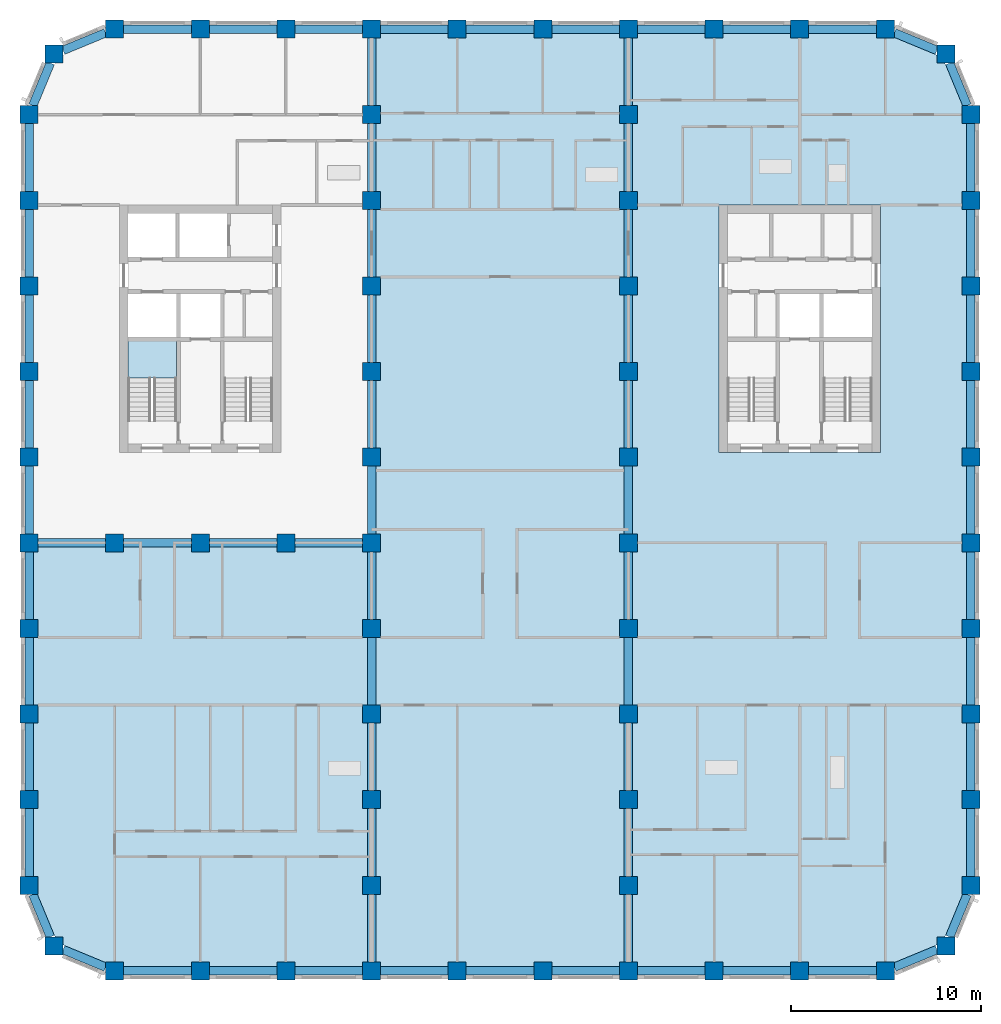
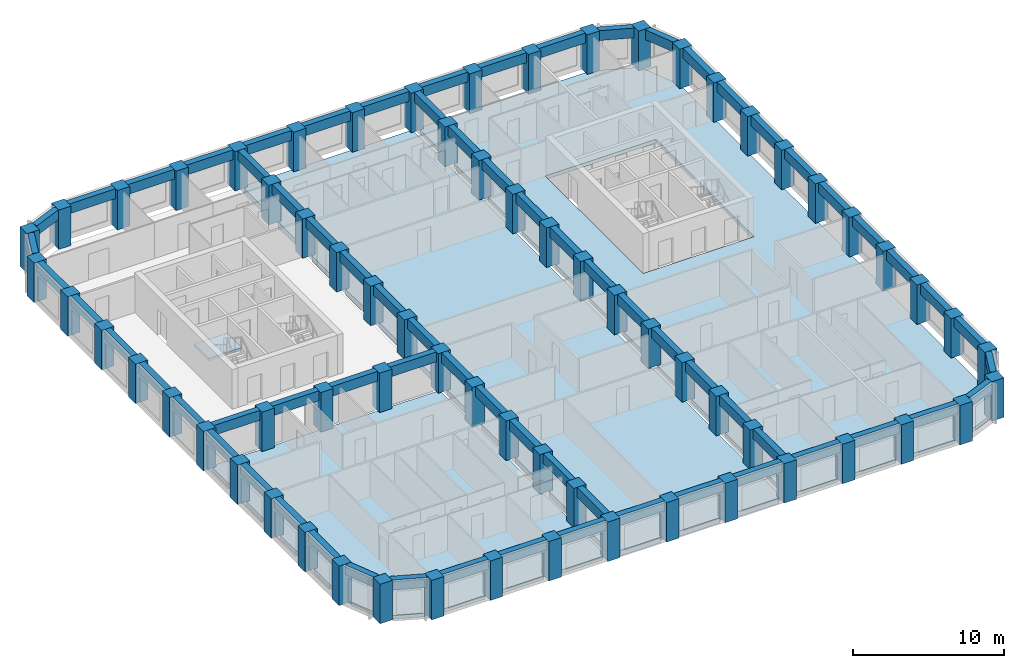
# One storey, part 1 of 13: 70 beams, 67 columns, 4 slabs, 1 element without a shape of its own.
"""IFC4 building model written with IfcOpenShell, lengths in metres."""

from ifc_helpers import new_model, si_unit, direction, frame, origin, origin_2d, place, context, subcontext, project, spatial, polyline, rectangle, outline, extrude, material, layer, layer_set, material_profile, profile_set, type_object, element, aggregate, save


model = new_model("IFC4")

# Units and contexts
model_context = context("Model", 3, precision=1e-05, world=origin(), true_north=direction((0.0, 1.0)))
body_context = subcontext(model_context, "Body", "Model", "MODEL_VIEW")
ifc_project = project(units=[si_unit("LENGTHUNIT", "METRE"), si_unit("AREAUNIT", "SQUARE_METRE"), si_unit("VOLUMEUNIT", "CUBIC_METRE"), si_unit("PLANEANGLEUNIT", "RADIAN"), si_unit("MASSUNIT", "GRAM", prefix="KILO")], contexts=[model_context])

# Site, building, storey
site_placement = place(None, origin())
site = spatial("IfcSite", under=ifc_project, at=site_placement, CompositionType="ELEMENT")
building_placement = place(site_placement, origin())
building = spatial("IfcBuilding", under=site, at=building_placement, Name="Girih Gate Residences", CompositionType="ELEMENT")
storey_placement = place(building_placement, frame((0.0, 0.0, 133.39990234375)))
storey = spatial("IfcBuildingStorey", under=building, at=storey_placement, Name="L37", CompositionType="ELEMENT", Elevation=133.39990234375)

# Columns
ifc_material_1 = material(Name="Concrete C70/85", Category="concrete")
ifc_material_profile_1 = material_profile(ifc_material_1, rectangle(XDim=0.949951171875, YDim=0.949951171875, at=origin_2d()))
ifc_profile_set_1 = profile_set([ifc_material_profile_1], Name="Concrete C70/85")
column_type = type_object("IfcColumnType", Name="Pier RC 950x950 Concrete C70/85", PredefinedType="COLUMN", material=ifc_profile_set_1)
for number, where, z_axis, x_axis, name in (
    (1, (4.5, 0.0, 0.0), (0.0, 0.0, 1.0), (1.0, 0.0, 0.0), "Pier P2A L37"),
    (2, (9.0, 0.0, 0.0), (0.0, 0.0, 1.0), (1.0, 0.0, 0.0), "Pier P3A L37"),
    (3, (13.5, 0.0, 0.0), (0.0, 0.0, 1.0), (1.0, 0.0, 0.0), "Pier P4A L37"),
    (4, (18.0, 0.0, 0.0), (0.0, 0.0, 1.0), (1.0, 0.0, 0.0), "Pier P5A L37"),
    (5, (22.5, 0.0, 0.0), (0.0, 0.0, 1.0), (1.0, 0.0, 0.0), "Pier P6A L37"),
    (6, (27.0, 0.0, 0.0), (0.0, 0.0, 1.0), (1.0, 0.0, 0.0), "Pier P7A L37"),
    (7, (31.5, 0.0, 0.0), (0.0, 0.0, 1.0), (1.0, 0.0, 0.0), "Pier P8A L37"),
    (8, (36.0, 0.0, 0.0), (0.0, 0.0, 1.0), (1.0, 0.0, 0.0), "Pier P9A L37"),
    (9, (40.5, 0.0, 0.0), (0.0, 0.0, 1.0), (1.0, 0.0, 0.0), "Pier P10A L37"),
    (10, (45.0, 0.0, 0.0), (0.0, 0.0, 1.0), (1.0, 0.0, 0.0), "Pier P11A L37"),
    (11, (1.318115234375, 1.318115234375, 0.0), (0.0, 0.0, 1.0), (1.0, 0.0, 0.0), "Pier P1ANE L37"),
    (12, (48.181884765625, 1.318115234375, 0.0), (0.0, 0.0, 1.0), (1.0, 0.0, 0.0), "Pier P12ANW L37"),
    (13, (0.0, 4.5, 0.0), (0.0, 0.0, 1.0), (1.0, 0.0, 0.0), "Pier P1B L37"),
    (14, (18.0, 4.5, 0.0), (0.0, 0.0, 1.0), (1.0, 0.0, 0.0), "Pier P5B L37"),
    (15, (31.5, 4.5, 0.0), (0.0, 0.0, 1.0), (1.0, 0.0, 0.0), "Pier P8B L37"),
    (16, (49.5, 4.5, 0.0), (0.0, 0.0, 1.0), (1.0, 0.0, 0.0), "Pier P12B L37"),
    (17, (0.0, 9.0, 0.0), (0.0, 0.0, 1.0), (1.0, 0.0, 0.0), "Pier P1C L37"),
    (18, (18.0, 9.0, 0.0), (0.0, 0.0, 1.0), (1.0, 0.0, 0.0), "Pier P5C L37"),
    (19, (31.5, 9.0, 0.0), (0.0, 0.0, 1.0), (1.0, 0.0, 0.0), "Pier P8C L37"),
    (20, (49.5, 9.0, 0.0), (0.0, 0.0, 1.0), (1.0, 0.0, 0.0), "Pier P12C L37"),
    (21, (0.0, 13.5, 0.0), (0.0, 0.0, 1.0), (1.0, 0.0, 0.0), "Pier P1D L37"),
    (22, (18.0, 13.5, 0.0), (0.0, 0.0, 1.0), (1.0, 0.0, 0.0), "Pier P5D L37"),
    (23, (31.5, 13.5, 0.0), (0.0, 0.0, 1.0), (1.0, 0.0, 0.0), "Pier P8D L37"),
    (24, (49.5, 13.5, 0.0), (0.0, 0.0, 1.0), (1.0, 0.0, 0.0), "Pier P12D L37"),
    (25, (0.0, 18.0, 0.0), (0.0, 0.0, 1.0), (1.0, 0.0, 0.0), "Pier P1E L37"),
    (26, (18.0, 18.0, 0.0), (0.0, 0.0, 1.0), (1.0, 0.0, 0.0), "Pier P5E L37"),
    (27, (31.5, 18.0, 0.0), (0.0, 0.0, 1.0), (1.0, 0.0, 0.0), "Pier P8E L37"),
    (28, (49.5, 18.0, 0.0), (0.0, 0.0, 1.0), (1.0, 0.0, 0.0), "Pier P12E L37"),
    (29, (0.0, 22.5, 0.0), (0.0, 0.0, 1.0), (1.0, 0.0, 0.0), "Pier P1F L37"),
    (30, (4.5, 22.5, 0.0), (0.0, 0.0, 1.0), (1.0, 0.0, 0.0), "Pier P2F L37"),
    (31, (9.0, 22.5, 0.0), (0.0, 0.0, 1.0), (1.0, 0.0, 0.0), "Pier P3F L37"),
    (32, (13.5, 22.5, 0.0), (0.0, 0.0, 1.0), (1.0, 0.0, 0.0), "Pier P4F L37"),
    (33, (18.0, 22.5, 0.0), (0.0, 0.0, 1.0), (1.0, 0.0, 0.0), "Pier P5F L37"),
    (34, (31.5, 22.5, 0.0), (0.0, 0.0, 1.0), (1.0, 0.0, 0.0), "Pier P8F L37"),
    (35, (49.5, 22.5, 0.0), (0.0, 0.0, 1.0), (1.0, 0.0, 0.0), "Pier P12F L37"),
    (36, (0.0, 27.0, 0.0), (0.0, 0.0, 1.0), (1.0, 0.0, 0.0), "Pier P1G L37"),
    (37, (18.0, 27.0, 0.0), (0.0, 0.0, 1.0), (1.0, 0.0, 0.0), "Pier P5G L37"),
    (38, (31.5, 27.0, 0.0), (0.0, 0.0, 1.0), (1.0, 0.0, 0.0), "Pier P8G L37"),
    (39, (49.5, 27.0, 0.0), (0.0, 0.0, 1.0), (1.0, 0.0, 0.0), "Pier P12G L37"),
    (40, (0.0, 31.5, 0.0), (0.0, 0.0, 1.0), (1.0, 0.0, 0.0), "Pier P1H L37"),
    (41, (18.0, 31.5, 0.0), (0.0, 0.0, 1.0), (1.0, 0.0, 0.0), "Pier P5H L37"),
    (42, (31.5, 31.5, 0.0), (0.0, 0.0, 1.0), (1.0, 0.0, 0.0), "Pier P8H L37"),
    (43, (49.5, 31.5, 0.0), (0.0, 0.0, 1.0), (1.0, 0.0, 0.0), "Pier P12H L37"),
    (44, (0.0, 36.0, 0.0), (0.0, 0.0, 1.0), (1.0, 0.0, 0.0), "Pier P1I L37"),
    (45, (18.0, 36.0, 0.0), (0.0, 0.0, 1.0), (1.0, 0.0, 0.0), "Pier P5I L37"),
    (46, (31.5, 36.0, 0.0), (0.0, 0.0, 1.0), (1.0, 0.0, 0.0), "Pier P8I L37"),
    (47, (49.5, 36.0, 0.0), (0.0, 0.0, 1.0), (1.0, 0.0, 0.0), "Pier P12I L37"),
    (48, (0.0, 40.5, 0.0), (0.0, 0.0, 1.0), (1.0, 0.0, 0.0), "Pier P1J L37"),
    (49, (18.0, 40.5, 0.0), (0.0, 0.0, 1.0), (1.0, 0.0, 0.0), "Pier P5J L37"),
    (50, (31.5, 40.5, 0.0), (0.0, 0.0, 1.0), (1.0, 0.0, 0.0), "Pier P8J L37"),
    (51, (49.5, 40.5, 0.0), (0.0, 0.0, 1.0), (1.0, 0.0, 0.0), "Pier P12J L37"),
    (52, (0.0, 45.0, 0.0), (0.0, 0.0, 1.0), (1.0, 0.0, 0.0), "Pier P1K L37"),
    (53, (18.0, 45.0, 0.0), (0.0, 0.0, 1.0), (1.0, 0.0, 0.0), "Pier P5K L37"),
    (54, (31.5, 45.0, 0.0), (0.0, 0.0, 1.0), (1.0, 0.0, 0.0), "Pier P8K L37"),
    (55, (49.5, 45.0, 0.0), (0.0, 0.0, 1.0), (1.0, 0.0, 0.0), "Pier P12K L37"),
    (56, (1.318115234375, 48.181884765625, 0.0), (0.0, 0.0, 1.0), (1.0, 0.0, 0.0), "Pier P1LSE L37"),
    (57, (48.181884765625, 48.181884765625, 0.0), (0.0, 0.0, 1.0), (1.0, 0.0, 0.0), "Pier P12LSW L37"),
    (58, (4.5, 49.5, 0.0), (0.0, 0.0, 1.0), (1.0, 0.0, 0.0), "Pier P2L L37"),
    (59, (9.0, 49.5, 0.0), (0.0, 0.0, 1.0), (1.0, 0.0, 0.0), "Pier P3L L37"),
    (60, (13.5, 49.5, 0.0), (0.0, 0.0, 1.0), (1.0, 0.0, 0.0), "Pier P4L L37"),
    (61, (18.0, 49.5, 0.0), (0.0, 0.0, 1.0), (1.0, 0.0, 0.0), "Pier P5L L37"),
    (62, (22.5, 49.5, 0.0), (0.0, 0.0, 1.0), (1.0, 0.0, 0.0), "Pier P6L L37"),
    (63, (27.0, 49.5, 0.0), (0.0, 0.0, 1.0), (1.0, 0.0, 0.0), "Pier P7L L37"),
    (64, (31.5, 49.5, 0.0), (0.0, 0.0, 1.0), (1.0, 0.0, 0.0), "Pier P8L L37"),
    (65, (36.0, 49.5, 0.0), (0.0, 0.0, 1.0), (1.0, 0.0, 0.0), "Pier P9L L37"),
    (66, (40.5, 49.5, 0.0), (0.0, 0.0, 1.0), (1.0, 0.0, 0.0), "Pier P10L L37"),
    (67, (45.0, 49.5, 0.0), (0.0, 0.0, 1.0), (1.0, 0.0, 0.0), "Pier P11L L37"),
):
    element("IfcColumn", number, at=place(storey_placement, frame(where, z_axis=z_axis, x_axis=x_axis)), inside=storey, type_object=column_type, Name=name, PredefinedType="COLUMN", context=body_context, shape_type="SweptSolid", body=[
        extrude(rectangle(XDim=0.949951171875, YDim=0.949951171875, at=origin_2d()), origin(), (0.0, 0.0, 1.0), 3.2001953125),
    ])

# Beams
ifc_material_2 = material(Name="Concrete C60/75", Category="concrete")
ifc_material_profile_2 = material_profile(ifc_material_2, rectangle(XDim=0.449951171875, YDim=0.800048828125, at=origin_2d()))
ifc_profile_set_2 = profile_set([ifc_material_profile_2], Name="Concrete C60/75")
beam_type = type_object("IfcBeamType", Name="Spandrel girder RC 450x800 Concrete C60/75", PredefinedType="BEAM", material=ifc_profile_set_2)
for number, where, z_axis, x_axis, name in (
    (68, (0.19677734375, 4.02490234375, 2.800048828125), (0.382705825988, -0.923870256451, 0.0), (0.923870256451, 0.382705825988, 0.0), "Spandrel girder SP-P1B-P1ANE L37"),
    (69, (1.79296875, 1.121337890625, 2.800048828125), (0.923870256451, -0.382705825988, 0.0), (0.382705825988, 0.923870256451, 0.0), "Spandrel girder SP-P1ANE-P2A L37"),
):
    element("IfcBeam", number, at=place(storey_placement, frame(where, z_axis=z_axis, x_axis=x_axis)), inside=storey, type_object=beam_type, Name=name, PredefinedType="BEAM", context=body_context, shape_type="SweptSolid", body=[
        extrude(rectangle(XDim=0.449951171875, YDim=0.800048828125, at=origin_2d()), origin(), (0.0, 0.0, 1.0), 2.415771484375),
    ])
for number, where, z_axis, x_axis, name in (
    (70, (4.97509765625, 0.0, 2.800048828125), (1.0, 0.0, 0.0), (0.0, 1.0, 0.0), "Spandrel girder SP-P2A-P3A L37"),
    (71, (9.47509765625, 0.0, 2.800048828125), (1.0, 0.0, 0.0), (0.0, 1.0, 0.0), "Spandrel girder SP-P3A-P4A L37"),
    (72, (13.97509765625, 0.0, 2.800048828125), (1.0, 0.0, 0.0), (0.0, 1.0, 0.0), "Spandrel girder SP-P4A-P5A L37"),
    (73, (18.47509765625, 0.0, 2.800048828125), (1.0, 0.0, 0.0), (0.0, 1.0, 0.0), "Spandrel girder SP-P5A-P6A L37"),
    (74, (22.97509765625, 0.0, 2.800048828125), (1.0, 0.0, 0.0), (0.0, 1.0, 0.0), "Spandrel girder SP-P6A-P7A L37"),
    (75, (27.47509765625, 0.0, 2.800048828125), (1.0, 0.0, 0.0), (0.0, 1.0, 0.0), "Spandrel girder SP-P7A-P8A L37"),
    (76, (31.97509765625, 0.0, 2.800048828125), (1.0, 0.0, 0.0), (0.0, 1.0, 0.0), "Spandrel girder SP-P8A-P9A L37"),
    (77, (36.47509765625, 0.0, 2.800048828125), (1.0, 0.0, 0.0), (0.0, 1.0, 0.0), "Spandrel girder SP-P9A-P10A L37"),
    (78, (40.97509765625, 0.0, 2.800048828125), (1.0, 0.0, 0.0), (0.0, 1.0, 0.0), "Spandrel girder SP-P10A-P11A L37"),
):
    element("IfcBeam", number, at=place(storey_placement, frame(where, z_axis=z_axis, x_axis=x_axis)), inside=storey, type_object=beam_type, Name=name, PredefinedType="BEAM", context=body_context, shape_type="SweptSolid", body=[
        extrude(rectangle(XDim=0.449951171875, YDim=0.800048828125, at=origin_2d()), origin(), (0.0, 0.0, 1.0), 3.5498046875),
    ])
for number, where, z_axis, x_axis, name in (
    (79, (45.47509765625, 0.19677734375, 2.800048828125), (0.923870256451, 0.382705825988, 0.0), (-0.382705825988, 0.923870256451, 0.0), "Spandrel girder SP-P11A-P12ANW L37"),
    (80, (48.378662109375, 1.79296875, 2.800048828125), (0.382705825988, 0.923870256451, 0.0), (-0.923870256451, 0.382705825988, 0.0), "Spandrel girder SP-P12ANW-P12B L37"),
):
    element("IfcBeam", number, at=place(storey_placement, frame(where, z_axis=z_axis, x_axis=x_axis)), inside=storey, type_object=beam_type, Name=name, PredefinedType="BEAM", context=body_context, shape_type="SweptSolid", body=[
        extrude(rectangle(XDim=0.449951171875, YDim=0.800048828125, at=origin_2d()), origin(), (0.0, 0.0, 1.0), 2.415771484375),
    ])
for number, where, z_axis, x_axis, name in (
    (81, (49.5, 4.97509765625, 2.800048828125), (0.0, 1.0, 0.0), (-1.0, 0.0, 0.0), "Spandrel girder SP-P12B-P12C L37"),
    (82, (49.5, 9.47509765625, 2.800048828125), (0.0, 1.0, 0.0), (-1.0, 0.0, 0.0), "Spandrel girder SP-P12C-P12D L37"),
    (83, (49.5, 13.97509765625, 2.800048828125), (0.0, 1.0, 0.0), (-1.0, 0.0, 0.0), "Spandrel girder SP-P12D-P12E L37"),
    (84, (49.5, 18.47509765625, 2.800048828125), (0.0, 1.0, 0.0), (-1.0, 0.0, 0.0), "Spandrel girder SP-P12E-P12F L37"),
    (85, (49.5, 22.97509765625, 2.800048828125), (0.0, 1.0, 0.0), (-1.0, 0.0, 0.0), "Spandrel girder SP-P12F-P12G L37"),
    (86, (49.5, 27.47509765625, 2.800048828125), (0.0, 1.0, 0.0), (-1.0, 0.0, 0.0), "Spandrel girder SP-P12G-P12H L37"),
    (87, (49.5, 31.97509765625, 2.800048828125), (0.0, 1.0, 0.0), (-1.0, 0.0, 0.0), "Spandrel girder SP-P12H-P12I L37"),
    (88, (49.5, 36.47509765625, 2.800048828125), (0.0, 1.0, 0.0), (-1.0, 0.0, 0.0), "Spandrel girder SP-P12I-P12J L37"),
    (89, (49.5, 40.97509765625, 2.800048828125), (0.0, 1.0, 0.0), (-1.0, 0.0, 0.0), "Spandrel girder SP-P12J-P12K L37"),
):
    element("IfcBeam", number, at=place(storey_placement, frame(where, z_axis=z_axis, x_axis=x_axis)), inside=storey, type_object=beam_type, Name=name, PredefinedType="BEAM", context=body_context, shape_type="SweptSolid", body=[
        extrude(rectangle(XDim=0.449951171875, YDim=0.800048828125, at=origin_2d()), origin(), (0.0, 0.0, 1.0), 3.5498046875),
    ])
for number, where, z_axis, x_axis, name in (
    (90, (49.30322265625, 45.47509765625, 2.800048828125), (-0.382705825988, 0.923870256451, 0.0), (-0.923870256451, -0.382705825988, 0.0), "Spandrel girder SP-P12K-P12LSW L37"),
    (91, (47.70703125, 48.378662109375, 2.800048828125), (-0.923870256451, 0.382705825988, 0.0), (-0.382705825988, -0.923870256451, 0.0), "Spandrel girder SP-P12LSW-P11L L37"),
):
    element("IfcBeam", number, at=place(storey_placement, frame(where, z_axis=z_axis, x_axis=x_axis)), inside=storey, type_object=beam_type, Name=name, PredefinedType="BEAM", context=body_context, shape_type="SweptSolid", body=[
        extrude(rectangle(XDim=0.449951171875, YDim=0.800048828125, at=origin_2d()), origin(), (0.0, 0.0, 1.0), 2.415771484375),
    ])
for number, where, z_axis, x_axis, name in (
    (92, (44.52490234375, 49.5, 2.800048828125), (-1.0, 0.0, 0.0), (0.0, -1.0, 0.0), "Spandrel girder SP-P11L-P10L L37"),
    (93, (40.02490234375, 49.5, 2.800048828125), (-1.0, 0.0, 0.0), (0.0, -1.0, 0.0), "Spandrel girder SP-P10L-P9L L37"),
    (94, (35.52490234375, 49.5, 2.800048828125), (-1.0, 0.0, 0.0), (0.0, -1.0, 0.0), "Spandrel girder SP-P9L-P8L L37"),
    (95, (31.02490234375, 49.5, 2.800048828125), (-1.0, 0.0, 0.0), (0.0, -1.0, 0.0), "Spandrel girder SP-P8L-P7L L37"),
    (96, (26.52490234375, 49.5, 2.800048828125), (-1.0, 0.0, 0.0), (0.0, -1.0, 0.0), "Spandrel girder SP-P7L-P6L L37"),
    (97, (22.02490234375, 49.5, 2.800048828125), (-1.0, 0.0, 0.0), (0.0, -1.0, 0.0), "Spandrel girder SP-P6L-P5L L37"),
    (98, (17.52490234375, 49.5, 2.800048828125), (-1.0, 0.0, 0.0), (0.0, -1.0, 0.0), "Spandrel girder SP-P5L-P4L L37"),
    (99, (13.02490234375, 49.5, 2.800048828125), (-1.0, 0.0, 0.0), (0.0, -1.0, 0.0), "Spandrel girder SP-P4L-P3L L37"),
    (100, (8.52490234375, 49.5, 2.800048828125), (-1.0, 0.0, 0.0), (0.0, -1.0, 0.0), "Spandrel girder SP-P3L-P2L L37"),
):
    element("IfcBeam", number, at=place(storey_placement, frame(where, z_axis=z_axis, x_axis=x_axis)), inside=storey, type_object=beam_type, Name=name, PredefinedType="BEAM", context=body_context, shape_type="SweptSolid", body=[
        extrude(rectangle(XDim=0.449951171875, YDim=0.800048828125, at=origin_2d()), origin(), (0.0, 0.0, 1.0), 3.5498046875),
    ])
for number, where, z_axis, x_axis, name in (
    (101, (4.02490234375, 49.30322265625, 2.800048828125), (-0.923870256451, -0.382705825988, 0.0), (0.382705825988, -0.923870256451, 0.0), "Spandrel girder SP-P2L-P1LSE L37"),
    (102, (1.121337890625, 47.70703125, 2.800048828125), (-0.382705825988, -0.923870256451, 0.0), (0.923870256451, -0.382705825988, 0.0), "Spandrel girder SP-P1LSE-P1K L37"),
):
    element("IfcBeam", number, at=place(storey_placement, frame(where, z_axis=z_axis, x_axis=x_axis)), inside=storey, type_object=beam_type, Name=name, PredefinedType="BEAM", context=body_context, shape_type="SweptSolid", body=[
        extrude(rectangle(XDim=0.449951171875, YDim=0.800048828125, at=origin_2d()), origin(), (0.0, 0.0, 1.0), 2.415771484375),
    ])
for number, where, z_axis, x_axis, name in (
    (103, (0.0, 44.52490234375, 2.800048828125), (0.0, -1.0, 0.0), (1.0, 0.0, 0.0), "Spandrel girder SP-P1K-P1J L37"),
    (104, (0.0, 40.02490234375, 2.800048828125), (0.0, -1.0, 0.0), (1.0, 0.0, 0.0), "Spandrel girder SP-P1J-P1I L37"),
    (105, (0.0, 35.52490234375, 2.800048828125), (0.0, -1.0, 0.0), (1.0, 0.0, 0.0), "Spandrel girder SP-P1I-P1H L37"),
    (106, (0.0, 31.02490234375, 2.800048828125), (0.0, -1.0, 0.0), (1.0, 0.0, 0.0), "Spandrel girder SP-P1H-P1G L37"),
    (107, (0.0, 26.52490234375, 2.800048828125), (0.0, -1.0, 0.0), (1.0, 0.0, 0.0), "Spandrel girder SP-P1G-P1F L37"),
    (108, (0.0, 22.02490234375, 2.800048828125), (0.0, -1.0, 0.0), (1.0, 0.0, 0.0), "Spandrel girder SP-P1F-P1E L37"),
    (109, (0.0, 17.52490234375, 2.800048828125), (0.0, -1.0, 0.0), (1.0, 0.0, 0.0), "Spandrel girder SP-P1E-P1D L37"),
    (110, (0.0, 13.02490234375, 2.800048828125), (0.0, -1.0, 0.0), (1.0, 0.0, 0.0), "Spandrel girder SP-P1D-P1C L37"),
    (111, (0.0, 8.52490234375, 2.800048828125), (0.0, -1.0, 0.0), (1.0, 0.0, 0.0), "Spandrel girder SP-P1C-P1B L37"),
    (112, (18.0, 0.47509765625, 2.800048828125), (0.0, 1.0, 0.0), (-1.0, 0.0, 0.0), "Spandrel girder SP-P5A-P5B L37"),
    (113, (18.0, 4.97509765625, 2.800048828125), (0.0, 1.0, 0.0), (-1.0, 0.0, 0.0), "Spandrel girder SP-P5B-P5C L37"),
    (114, (18.0, 9.47509765625, 2.800048828125), (0.0, 1.0, 0.0), (-1.0, 0.0, 0.0), "Spandrel girder SP-P5C-P5D L37"),
    (115, (18.0, 13.97509765625, 2.800048828125), (0.0, 1.0, 0.0), (-1.0, 0.0, 0.0), "Spandrel girder SP-P5D-P5E L37"),
    (116, (18.0, 18.47509765625, 2.800048828125), (0.0, 1.0, 0.0), (-1.0, 0.0, 0.0), "Spandrel girder SP-P5E-P5F L37"),
    (117, (18.0, 22.97509765625, 2.800048828125), (0.0, 1.0, 0.0), (-1.0, 0.0, 0.0), "Spandrel girder SP-P5F-P5G L37"),
    (118, (18.0, 27.47509765625, 2.800048828125), (0.0, 1.0, 0.0), (-1.0, 0.0, 0.0), "Spandrel girder SP-P5G-P5H L37"),
    (119, (18.0, 31.97509765625, 2.800048828125), (0.0, 1.0, 0.0), (-1.0, 0.0, 0.0), "Spandrel girder SP-P5H-P5I L37"),
    (120, (18.0, 36.47509765625, 2.800048828125), (0.0, 1.0, 0.0), (-1.0, 0.0, 0.0), "Spandrel girder SP-P5I-P5J L37"),
    (121, (18.0, 40.97509765625, 2.800048828125), (0.0, 1.0, 0.0), (-1.0, 0.0, 0.0), "Spandrel girder SP-P5J-P5K L37"),
    (122, (18.0, 45.47509765625, 2.800048828125), (0.0, 1.0, 0.0), (-1.0, 0.0, 0.0), "Spandrel girder SP-P5K-P5L L37"),
    (123, (31.5, 0.47509765625, 2.800048828125), (0.0, 1.0, 0.0), (-1.0, 0.0, 0.0), "Spandrel girder SP-P8A-P8B L37"),
    (124, (31.5, 4.97509765625, 2.800048828125), (0.0, 1.0, 0.0), (-1.0, 0.0, 0.0), "Spandrel girder SP-P8B-P8C L37"),
    (125, (31.5, 9.47509765625, 2.800048828125), (0.0, 1.0, 0.0), (-1.0, 0.0, 0.0), "Spandrel girder SP-P8C-P8D L37"),
    (126, (31.5, 13.97509765625, 2.800048828125), (0.0, 1.0, 0.0), (-1.0, 0.0, 0.0), "Spandrel girder SP-P8D-P8E L37"),
    (127, (31.5, 18.47509765625, 2.800048828125), (0.0, 1.0, 0.0), (-1.0, 0.0, 0.0), "Spandrel girder SP-P8E-P8F L37"),
    (128, (31.5, 22.97509765625, 2.800048828125), (0.0, 1.0, 0.0), (-1.0, 0.0, 0.0), "Spandrel girder SP-P8F-P8G L37"),
    (129, (31.5, 27.47509765625, 2.800048828125), (0.0, 1.0, 0.0), (-1.0, 0.0, 0.0), "Spandrel girder SP-P8G-P8H L37"),
    (130, (31.5, 31.97509765625, 2.800048828125), (0.0, 1.0, 0.0), (-1.0, 0.0, 0.0), "Spandrel girder SP-P8H-P8I L37"),
    (131, (31.5, 36.47509765625, 2.800048828125), (0.0, 1.0, 0.0), (-1.0, 0.0, 0.0), "Spandrel girder SP-P8I-P8J L37"),
    (132, (31.5, 40.97509765625, 2.800048828125), (0.0, 1.0, 0.0), (-1.0, 0.0, 0.0), "Spandrel girder SP-P8J-P8K L37"),
    (133, (31.5, 45.47509765625, 2.800048828125), (0.0, 1.0, 0.0), (-1.0, 0.0, 0.0), "Spandrel girder SP-P8K-P8L L37"),
    (134, (0.47509765625, 22.5, 2.800048828125), (1.0, 0.0, 0.0), (0.0, 1.0, 0.0), "Spandrel girder SP-P1F-P2F L37"),
    (135, (4.97509765625, 22.5, 2.800048828125), (1.0, 0.0, 0.0), (0.0, 1.0, 0.0), "Spandrel girder SP-P2F-P3F L37"),
    (136, (9.47509765625, 22.5, 2.800048828125), (1.0, 0.0, 0.0), (0.0, 1.0, 0.0), "Spandrel girder SP-P3F-P4F L37"),
    (137, (13.97509765625, 22.5, 2.800048828125), (1.0, 0.0, 0.0), (0.0, 1.0, 0.0), "Spandrel girder SP-P4F-P5F L37"),
):
    element("IfcBeam", number, at=place(storey_placement, frame(where, z_axis=z_axis, x_axis=x_axis)), inside=storey, type_object=beam_type, Name=name, PredefinedType="BEAM", context=body_context, shape_type="SweptSolid", body=[
        extrude(rectangle(XDim=0.449951171875, YDim=0.800048828125, at=origin_2d()), origin(), (0.0, 0.0, 1.0), 3.5498046875),
    ])

# Slabs
ifc_material_3 = material(Name="Concrete C40/50", Category="concrete")
ifc_layer_1 = layer(ifc_material_3, 0.300048828125)
ifc_layer_set_1 = layer_set([ifc_layer_1], Name="Floor slab PT 300 Concrete C40/50")
slab_type_1 = type_object("IfcSlabType", Name="Floor slab PT 300 Concrete C40/50", PredefinedType="FLOOR", material=ifc_layer_set_1)
slab_1_placement = place(storey_placement, frame((0.0, 0.0, -0.2998046875)))
element("IfcSlab", 138, at=slab_1_placement, inside=storey, type_object=slab_type_1, Name="Floor slab L37 0", PredefinedType="FLOOR", context=body_context, shape_type="SweptSolid", body=[
    extrude(outline(polyline([(0.22509765625, 8.52490234375), (0.22509765625, 4.97509765625), (0.47509765625, 4.97509765625), (0.47509765625, 4.02490234375), (0.440185546875, 4.02490234375), (1.36474609375, 1.79296875), (1.79296875, 1.79296875), (1.79296875, 1.36474609375), (4.02490234375, 0.440185546875), (4.02490234375, 0.47509765625), (4.97509765625, 0.47509765625), (4.97509765625, 0.22509765625), (8.52490234375, 0.22509765625), (8.52490234375, 0.47509765625), (9.47509765625, 0.47509765625), (9.47509765625, 0.22509765625), (13.02490234375, 0.22509765625), (13.02490234375, 0.47509765625), (13.97509765625, 0.47509765625), (13.97509765625, 0.22509765625), (17.52490234375, 0.22509765625), (17.52490234375, 0.47509765625), (17.77490234375, 0.47509765625), (17.77490234375, 4.02490234375), (17.52490234375, 4.02490234375), (17.52490234375, 4.97509765625), (17.77490234375, 4.97509765625), (17.77490234375, 8.52490234375), (17.52490234375, 8.52490234375), (17.52490234375, 9.47509765625), (17.77490234375, 9.47509765625), (17.77490234375, 13.02490234375), (17.52490234375, 13.02490234375), (17.52490234375, 13.97509765625), (17.77490234375, 13.97509765625), (17.77490234375, 17.52490234375), (17.52490234375, 17.52490234375), (17.52490234375, 18.47509765625), (17.77490234375, 18.47509765625), (17.77490234375, 22.02490234375), (17.52490234375, 22.02490234375), (17.52490234375, 22.27490234375), (13.97509765625, 22.27490234375), (13.97509765625, 22.02490234375), (13.02490234375, 22.02490234375), (13.02490234375, 22.27490234375), (9.47509765625, 22.27490234375), (9.47509765625, 22.02490234375), (8.52490234375, 22.02490234375), (8.52490234375, 22.27490234375), (4.97509765625, 22.27490234375), (4.97509765625, 22.02490234375), (4.02490234375, 22.02490234375), (4.02490234375, 22.27490234375), (0.47509765625, 22.27490234375), (0.47509765625, 22.02490234375), (0.22509765625, 22.02490234375), (0.22509765625, 18.47509765625), (0.47509765625, 18.47509765625), (0.47509765625, 17.52490234375), (0.22509765625, 17.52490234375), (0.22509765625, 13.97509765625), (0.47509765625, 13.97509765625), (0.47509765625, 13.02490234375), (0.22509765625, 13.02490234375), (0.22509765625, 9.47509765625), (0.47509765625, 9.47509765625), (0.47509765625, 8.52490234375), (0.22509765625, 8.52490234375)])), origin(), (0.0, 0.0, 1.0), 0.2998046875),
])
slab_2_placement = place(storey_placement, frame((0.0, 0.0, -0.2998046875)))
element("IfcSlab", 139, at=slab_2_placement, inside=storey, type_object=slab_type_1, Name="Floor slab L37 1", PredefinedType="FLOOR", context=body_context, shape_type="SweptSolid", body=[
    extrude(outline(polyline([(35.52490234375, 49.27490234375), (31.97509765625, 49.27490234375), (31.97509765625, 49.02490234375), (31.72509765625, 49.02490234375), (31.72509765625, 45.47509765625), (31.97509765625, 45.47509765625), (31.97509765625, 44.52490234375), (31.72509765625, 44.52490234375), (31.72509765625, 40.97509765625), (31.97509765625, 40.97509765625), (31.97509765625, 40.02490234375), (31.72509765625, 40.02490234375), (31.72509765625, 36.47509765625), (31.97509765625, 36.47509765625), (31.97509765625, 35.52490234375), (31.72509765625, 35.52490234375), (31.72509765625, 31.97509765625), (31.97509765625, 31.97509765625), (31.97509765625, 31.02490234375), (31.72509765625, 31.02490234375), (31.72509765625, 27.47509765625), (31.97509765625, 27.47509765625), (31.97509765625, 26.52490234375), (31.72509765625, 26.52490234375), (31.72509765625, 22.97509765625), (31.97509765625, 22.97509765625), (31.97509765625, 22.02490234375), (31.72509765625, 22.02490234375), (31.72509765625, 18.47509765625), (31.97509765625, 18.47509765625), (31.97509765625, 17.52490234375), (31.72509765625, 17.52490234375), (31.72509765625, 13.97509765625), (31.97509765625, 13.97509765625), (31.97509765625, 13.02490234375), (31.72509765625, 13.02490234375), (31.72509765625, 9.47509765625), (31.97509765625, 9.47509765625), (31.97509765625, 8.52490234375), (31.72509765625, 8.52490234375), (31.72509765625, 4.97509765625), (31.97509765625, 4.97509765625), (31.97509765625, 4.02490234375), (31.72509765625, 4.02490234375), (31.72509765625, 0.47509765625), (31.97509765625, 0.47509765625), (31.97509765625, 0.22509765625), (35.52490234375, 0.22509765625), (35.52490234375, 0.47509765625), (36.47509765625, 0.47509765625), (36.47509765625, 0.22509765625), (40.02490234375, 0.22509765625), (40.02490234375, 0.47509765625), (40.97509765625, 0.47509765625), (40.97509765625, 0.22509765625), (44.52490234375, 0.22509765625), (44.52490234375, 0.47509765625), (45.47509765625, 0.47509765625), (45.47509765625, 0.440185546875), (47.70703125, 1.36474609375), (47.70703125, 1.79296875), (48.13525390625, 1.79296875), (49.059814453125, 4.02490234375), (49.02490234375, 4.02490234375), (49.02490234375, 4.97509765625), (49.27490234375, 4.97509765625), (49.27490234375, 8.52490234375), (49.02490234375, 8.52490234375), (49.02490234375, 9.47509765625), (49.27490234375, 9.47509765625), (49.27490234375, 13.02490234375), (49.02490234375, 13.02490234375), (49.02490234375, 13.97509765625), (49.27490234375, 13.97509765625), (49.27490234375, 17.52490234375), (49.02490234375, 17.52490234375), (49.02490234375, 18.47509765625), (49.27490234375, 18.47509765625), (49.27490234375, 22.02490234375), (49.02490234375, 22.02490234375), (49.02490234375, 22.97509765625), (49.27490234375, 22.97509765625), (49.27490234375, 26.52490234375), (49.02490234375, 26.52490234375), (49.02490234375, 27.47509765625), (49.27490234375, 27.47509765625), (49.27490234375, 31.02490234375), (49.02490234375, 31.02490234375), (49.02490234375, 31.97509765625), (49.27490234375, 31.97509765625), (49.27490234375, 35.52490234375), (49.02490234375, 35.52490234375), (49.02490234375, 36.47509765625), (49.27490234375, 36.47509765625), (49.27490234375, 40.02490234375), (49.02490234375, 40.02490234375), (49.02490234375, 40.97509765625), (49.27490234375, 40.97509765625), (49.27490234375, 44.52490234375), (49.02490234375, 44.52490234375), (49.02490234375, 45.47509765625), (49.059814453125, 45.47509765625), (48.13525390625, 47.70703125), (47.70703125, 47.70703125), (47.70703125, 48.13525390625), (45.47509765625, 49.059814453125), (45.47509765625, 49.02490234375), (44.52490234375, 49.02490234375), (44.52490234375, 49.27490234375), (40.97509765625, 49.27490234375), (40.97509765625, 49.02490234375), (40.02490234375, 49.02490234375), (40.02490234375, 49.27490234375), (36.47509765625, 49.27490234375), (36.47509765625, 49.02490234375), (35.52490234375, 49.02490234375), (35.52490234375, 49.27490234375)]), holes=[polyline([(44.75, 40.25), (44.75, 27.25), (36.25, 27.25), (36.25, 40.25), (44.75, 40.25)])]), origin(), (0.0, 0.0, 1.0), 0.2998046875),
])
ifc_layer_2 = layer(ifc_material_3, 0.449951171875)
ifc_layer_set_2 = layer_set([ifc_layer_2], Name="Floor slab PT 450 Concrete C40/50")
slab_type_2 = type_object("IfcSlabType", Name="Floor slab PT 450 Concrete C40/50", PredefinedType="FLOOR", material=ifc_layer_set_2)
slab_3_placement = place(storey_placement, frame((0.0, 0.0, -0.449951171875)))
element("IfcSlab", 140, at=slab_3_placement, inside=storey, type_object=slab_type_2, Name="Floor slab L37 2", PredefinedType="FLOOR", context=body_context, shape_type="SweptSolid", body=[
    extrude(outline(polyline([(22.02490234375, 49.27490234375), (18.47509765625, 49.27490234375), (18.47509765625, 49.02490234375), (18.22509765625, 49.02490234375), (18.22509765625, 45.47509765625), (18.47509765625, 45.47509765625), (18.47509765625, 44.52490234375), (18.22509765625, 44.52490234375), (18.22509765625, 40.97509765625), (18.47509765625, 40.97509765625), (18.47509765625, 40.02490234375), (18.22509765625, 40.02490234375), (18.22509765625, 36.47509765625), (18.47509765625, 36.47509765625), (18.47509765625, 35.52490234375), (18.22509765625, 35.52490234375), (18.22509765625, 31.97509765625), (18.47509765625, 31.97509765625), (18.47509765625, 31.02490234375), (18.22509765625, 31.02490234375), (18.22509765625, 27.47509765625), (18.47509765625, 27.47509765625), (18.47509765625, 26.52490234375), (18.22509765625, 26.52490234375), (18.22509765625, 22.97509765625), (18.47509765625, 22.97509765625), (18.47509765625, 22.02490234375), (18.22509765625, 22.02490234375), (18.22509765625, 18.47509765625), (18.47509765625, 18.47509765625), (18.47509765625, 17.52490234375), (18.22509765625, 17.52490234375), (18.22509765625, 13.97509765625), (18.47509765625, 13.97509765625), (18.47509765625, 13.02490234375), (18.22509765625, 13.02490234375), (18.22509765625, 9.47509765625), (18.47509765625, 9.47509765625), (18.47509765625, 8.52490234375), (18.22509765625, 8.52490234375), (18.22509765625, 4.97509765625), (18.47509765625, 4.97509765625), (18.47509765625, 4.02490234375), (18.22509765625, 4.02490234375), (18.22509765625, 0.47509765625), (18.47509765625, 0.47509765625), (18.47509765625, 0.22509765625), (22.02490234375, 0.22509765625), (22.02490234375, 0.47509765625), (22.97509765625, 0.47509765625), (22.97509765625, 0.22509765625), (26.52490234375, 0.22509765625), (26.52490234375, 0.47509765625), (27.47509765625, 0.47509765625), (27.47509765625, 0.22509765625), (31.02490234375, 0.22509765625), (31.02490234375, 0.47509765625), (31.27490234375, 0.47509765625), (31.27490234375, 4.02490234375), (31.02490234375, 4.02490234375), (31.02490234375, 4.97509765625), (31.27490234375, 4.97509765625), (31.27490234375, 8.52490234375), (31.02490234375, 8.52490234375), (31.02490234375, 9.47509765625), (31.27490234375, 9.47509765625), (31.27490234375, 13.02490234375), (31.02490234375, 13.02490234375), (31.02490234375, 13.97509765625), (31.27490234375, 13.97509765625), (31.27490234375, 17.52490234375), (31.02490234375, 17.52490234375), (31.02490234375, 18.47509765625), (31.27490234375, 18.47509765625), (31.27490234375, 22.02490234375), (31.02490234375, 22.02490234375), (31.02490234375, 22.97509765625), (31.27490234375, 22.97509765625), (31.27490234375, 26.52490234375), (31.02490234375, 26.52490234375), (31.02490234375, 27.47509765625), (31.27490234375, 27.47509765625), (31.27490234375, 31.02490234375), (31.02490234375, 31.02490234375), (31.02490234375, 31.97509765625), (31.27490234375, 31.97509765625), (31.27490234375, 35.52490234375), (31.02490234375, 35.52490234375), (31.02490234375, 36.47509765625), (31.27490234375, 36.47509765625), (31.27490234375, 40.02490234375), (31.02490234375, 40.02490234375), (31.02490234375, 40.97509765625), (31.27490234375, 40.97509765625), (31.27490234375, 44.52490234375), (31.02490234375, 44.52490234375), (31.02490234375, 45.47509765625), (31.27490234375, 45.47509765625), (31.27490234375, 49.02490234375), (31.02490234375, 49.02490234375), (31.02490234375, 49.27490234375), (27.47509765625, 49.27490234375), (27.47509765625, 49.02490234375), (26.52490234375, 49.02490234375), (26.52490234375, 49.27490234375), (22.97509765625, 49.27490234375), (22.97509765625, 49.02490234375), (22.02490234375, 49.02490234375), (22.02490234375, 49.27490234375)])), origin(), (0.0, 0.0, 1.0), 0.449951171875),
])

# Stair, slab
stair_type = type_object("IfcStairType", Name="Exit stair", PredefinedType="HALF_TURN_STAIR", material=ifc_material_3)
stair_placement = place(storey_placement, origin())
stair = element("IfcStair", 141, at=stair_placement, inside=storey, type_object=stair_type, Name="L37 Exit Stair ST-W1", PredefinedType="HALF_TURN_STAIR")
ifc_layer_3 = layer(ifc_material_3, 0.199951171875)
ifc_layer_set_3 = layer_set([ifc_layer_3], Name="Stair landing 200")
slab_type_3 = type_object("IfcSlabType", Name="Stair landing 200", PredefinedType="LANDING", material=ifc_layer_set_3)
slab_4_placement = place(storey_placement, frame((0.0, 0.0, 1.400146484375)))
slab_4 = element("IfcSlab", 142, at=slab_4_placement, type_object=slab_type_3, Name="ST-W1 landing 1", PredefinedType="LANDING", context=body_context, shape_type="SweptSolid", body=[
    extrude(outline(polyline([(7.75, 31.14990234375), (7.75, 33.10009765625), (5.199951171875, 33.10009765625), (5.199951171875, 31.14990234375), (7.75, 31.14990234375)])), origin(), (0.0, 0.0, 1.0), 0.199951171875),
])
aggregate(stair, [slab_4])

save(model, "model.ifc")
